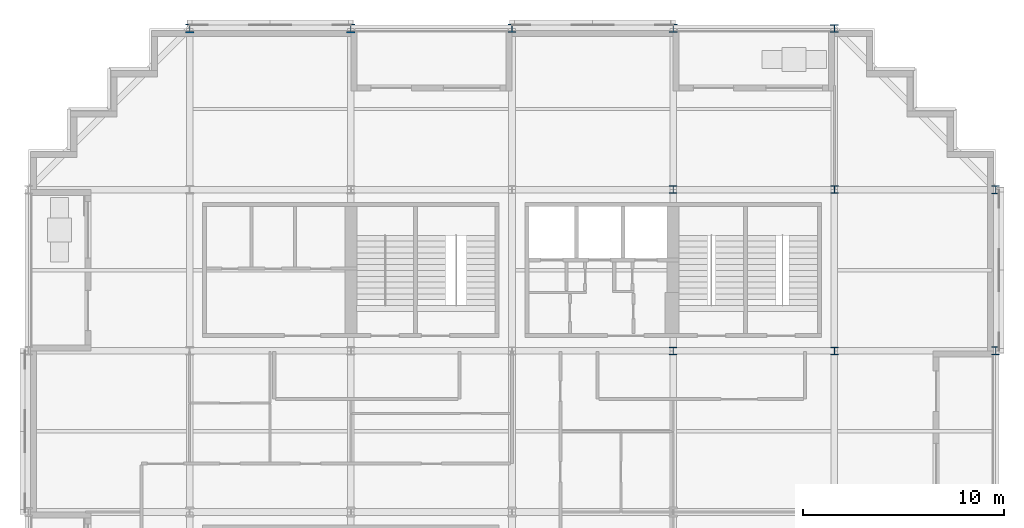
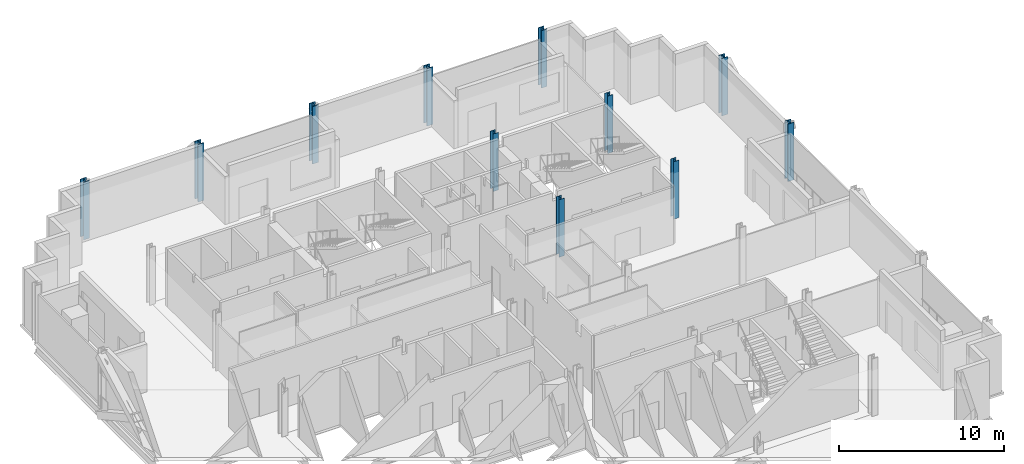
# One storey, part 2 of 14: 11 columns.
"""IFC4 building model written with IfcOpenShell, lengths in metres."""

from ifc_helpers import new_model, si_unit, direction, frame, origin, origin_2d, place, context, subcontext, project, spatial, i_section, extrude, material, material_profile, profile_set, type_object, element, save


model = new_model("IFC4")

# Units and contexts
model_context = context("Model", 3, precision=1e-05, world=origin(), true_north=direction((0.0, 1.0)))
body_context = subcontext(model_context, "Body", "Model", "MODEL_VIEW")
ifc_project = project(units=[si_unit("LENGTHUNIT", "METRE"), si_unit("AREAUNIT", "SQUARE_METRE"), si_unit("VOLUMEUNIT", "CUBIC_METRE"), si_unit("PLANEANGLEUNIT", "RADIAN"), si_unit("MASSUNIT", "GRAM", prefix="KILO")], contexts=[model_context])

# Site, building, storey
site_placement = place(None, origin())
site = spatial("IfcSite", under=ifc_project, at=site_placement, CompositionType="ELEMENT")
building_placement = place(site_placement, origin())
building = spatial("IfcBuilding", under=site, at=building_placement, Name="Immortelle Media Tower", CompositionType="ELEMENT")
storey_placement = place(building_placement, frame((0.0, 0.0, 43.60009765625)))
storey = spatial("IfcBuildingStorey", under=building, at=storey_placement, Name="L06", CompositionType="ELEMENT", Elevation=43.60009765625)

# Columns
ifc_material = material(Name="Steel ASTM A992 Gr 50", Category="steel")
ifc_material_profile_1 = material_profile(ifc_material, i_section(OverallWidth=0.373046875, OverallDepth=0.367919921875, WebThickness=0.014892578125, FlangeThickness=0.02392578125, at=origin_2d()), Name="W14x120")
ifc_profile_set_1 = profile_set([ifc_material_profile_1], Name="Steel ASTM A992 Gr 50")
column_type_1 = type_object("IfcColumnType", Name="W14x120 column", PredefinedType="COLUMN", material=ifc_profile_set_1)
for number, where, z_axis, x_axis, name in (
    (1, (32.0, 32.0, 0.0), (0.0, 0.0, 1.0), (1.0, 0.0, 0.0), "Column 5/E"),
    (2, (32.0, 40.0, 0.0), (0.0, 0.0, 1.0), (1.0, 0.0, 0.0), "Column 5/F"),
    (3, (40.0, 32.0, 0.0), (0.0, 0.0, 1.0), (1.0, 0.0, 0.0), "Column 6/E"),
    (4, (40.0, 40.0, 0.0), (0.0, 0.0, 1.0), (1.0, 0.0, 0.0), "Column 6/F"),
):
    element("IfcColumn", number, at=place(storey_placement, frame(where, z_axis=z_axis, x_axis=x_axis)), inside=storey, type_object=column_type_1, Name=name, PredefinedType="COLUMN", context=body_context, shape_type="SweptSolid", body=[
        extrude(i_section(OverallWidth=0.373046875, OverallDepth=0.367919921875, WebThickness=0.014892578125, FlangeThickness=0.02392578125, at=origin_2d()), origin(), (0.0, 0.0, 1.0), 4.25),
    ])
ifc_material_profile_2 = material_profile(ifc_material, i_section(OverallWidth=0.39892578125, OverallDepth=0.385986328125, WebThickness=0.02099609375, FlangeThickness=0.032958984375, at=origin_2d()), Name="W14x176")
ifc_profile_set_2 = profile_set([ifc_material_profile_2], Name="Steel ASTM A992 Gr 50")
column_type_2 = type_object("IfcColumnType", Name="W14x176 column", PredefinedType="COLUMN", material=ifc_profile_set_2)
column_placement = place(storey_placement, frame((40.0, 48.0, 0.0), z_axis=(0.0, 0.0, 1.0), x_axis=(1.0, 0.0, 0.0)))
element("IfcColumn", 5, at=column_placement, inside=storey, type_object=column_type_2, Name="Column 6/G", PredefinedType="COLUMN", context=body_context, shape_type="SweptSolid", body=[
    extrude(i_section(OverallWidth=0.39892578125, OverallDepth=0.385986328125, WebThickness=0.02099609375, FlangeThickness=0.032958984375, at=origin_2d()), origin(), (0.0, 0.0, 1.0), 4.25),
])
ifc_material_profile_3 = material_profile(ifc_material, i_section(OverallWidth=0.406005859375, OverallDepth=0.4169921875, WebThickness=0.030029296875, FlangeThickness=0.048095703125, at=origin_2d()), Name="W14x257")
ifc_profile_set_3 = profile_set([ifc_material_profile_3], Name="Steel ASTM A992 Gr 50")
column_type_3 = type_object("IfcColumnType", Name="W14x257 column", PredefinedType="COLUMN", material=ifc_profile_set_3)
for number, where, z_axis, x_axis, name in (
    (6, (24.0, 48.0, 0.0), (0.0, 0.0, 1.0), (1.0, 0.0, 0.0), "Column 4/G"),
    (7, (32.0, 48.0, 0.0), (0.0, 0.0, 1.0), (1.0, 0.0, 0.0), "Column 5/G"),
    (8, (48.0, 32.0, 0.0), (0.0, 0.0, 1.0), (1.0, 0.0, 0.0), "Column 7/E"),
    (9, (48.0, 40.0, 0.0), (0.0, 0.0, 1.0), (1.0, 0.0, 0.0), "Column 7/F"),
):
    element("IfcColumn", number, at=place(storey_placement, frame(where, z_axis=z_axis, x_axis=x_axis)), inside=storey, type_object=column_type_3, Name=name, PredefinedType="COLUMN", context=body_context, shape_type="SweptSolid", body=[
        extrude(i_section(OverallWidth=0.406005859375, OverallDepth=0.4169921875, WebThickness=0.030029296875, FlangeThickness=0.048095703125, at=origin_2d()), origin(), (0.0, 0.0, 1.0), 4.25),
    ])
ifc_material_profile_4 = material_profile(ifc_material, i_section(OverallWidth=0.410888671875, OverallDepth=0.43408203125, WebThickness=0.035888671875, FlangeThickness=0.056884765625, at=origin_2d()), Name="W14x311")
ifc_profile_set_4 = profile_set([ifc_material_profile_4], Name="Steel ASTM A992 Gr 50")
column_type_4 = type_object("IfcColumnType", Name="W14x311 column", PredefinedType="COLUMN", material=ifc_profile_set_4)
for number, where, z_axis, x_axis, name in (
    (10, (8.0, 48.0, 0.0), (0.0, 0.0, 1.0), (1.0, 0.0, 0.0), "Column 2/G"),
    (11, (16.0, 48.0, 0.0), (0.0, 0.0, 1.0), (1.0, 0.0, 0.0), "Column 3/G"),
):
    element("IfcColumn", number, at=place(storey_placement, frame(where, z_axis=z_axis, x_axis=x_axis)), inside=storey, type_object=column_type_4, Name=name, PredefinedType="COLUMN", context=body_context, shape_type="SweptSolid", body=[
        extrude(i_section(OverallWidth=0.410888671875, OverallDepth=0.43408203125, WebThickness=0.035888671875, FlangeThickness=0.056884765625, at=origin_2d()), origin(), (0.0, 0.0, 1.0), 4.25),
    ])

save(model, "model.ifc")
